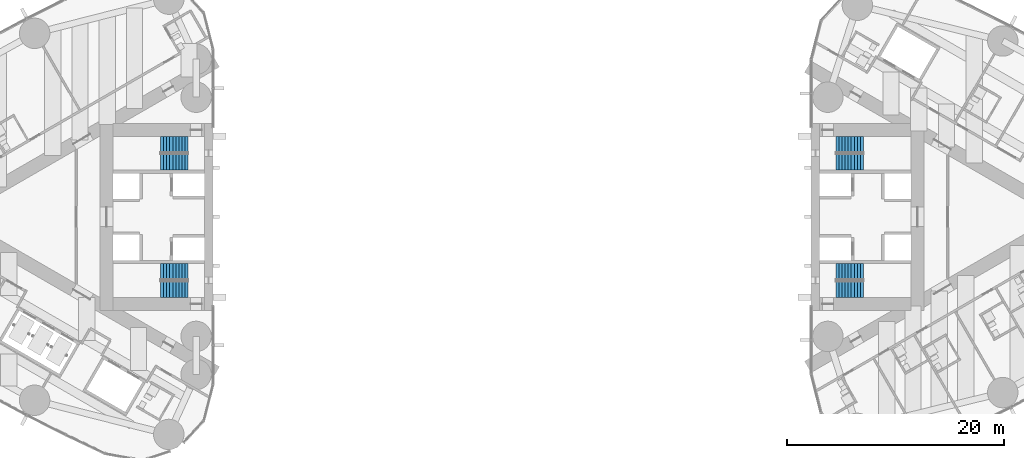
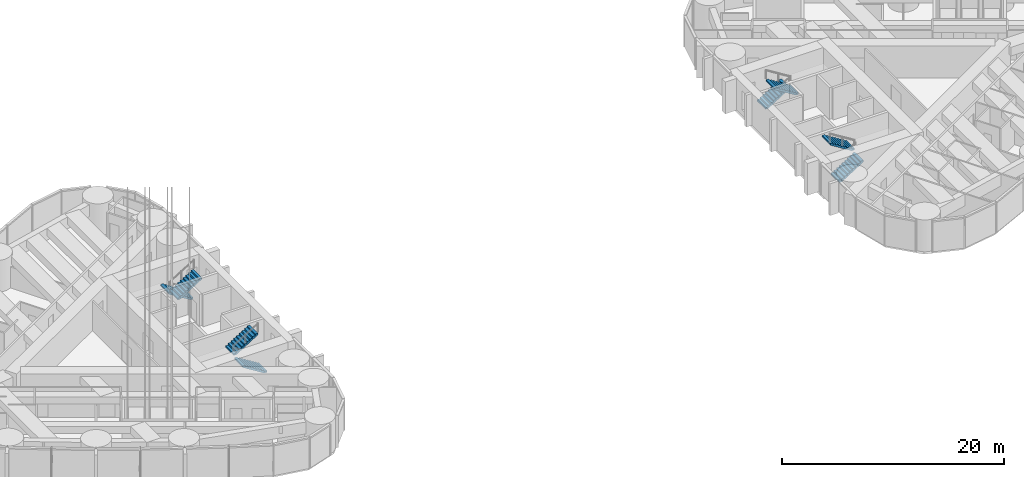
# One storey, part 17 of 21: 8 stair flights, 4 elements without a shape of their own.
"""IFC4 building model written with IfcOpenShell, lengths in metres."""

from ifc_helpers import new_model, si_unit, direction, frame, origin, place, context, subcontext, project, spatial, polyline, outline, extrude, material, type_object, element, aggregate, save


model = new_model("IFC4")

# Units and contexts
model_context = context("Model", 3, precision=1e-05, world=origin(), true_north=direction((0.0, 1.0)))
body_context = subcontext(model_context, "Body", "Model", "MODEL_VIEW")
ifc_project = project(units=[si_unit("LENGTHUNIT", "METRE"), si_unit("AREAUNIT", "SQUARE_METRE"), si_unit("VOLUMEUNIT", "CUBIC_METRE"), si_unit("PLANEANGLEUNIT", "RADIAN"), si_unit("MASSUNIT", "GRAM", prefix="KILO")], contexts=[model_context])

# Site, building, storey
site_placement = place(None, origin())
site = spatial("IfcSite", under=ifc_project, at=site_placement, CompositionType="ELEMENT")
building_placement = place(site_placement, origin())
building = spatial("IfcBuilding", under=site, at=building_placement, Name="Lancet Gate Hotel", CompositionType="ELEMENT")
storey_placement = place(building_placement, frame((0.0, 0.0, 156.300048828125)))
storey = spatial("IfcBuildingStorey", under=building, at=storey_placement, Name="L41", CompositionType="ELEMENT", Elevation=156.300048828125)

# Stair, stair flights
ifc_material_1 = material(Name="Exit stair 20 risers 1500")
stair_type = type_object("IfcStairType", Name="Exit stair 20 risers 1500", PredefinedType="HALF_TURN_STAIR", material=ifc_material_1)
stair_1_placement = place(storey_placement, origin())
stair_1 = element("IfcStair", 1, at=stair_1_placement, inside=storey, type_object=stair_type, Name="T1 stair 1 L41", PredefinedType="HALF_TURN_STAIR")
ifc_material_2 = material(Name="Stair flight 10 risers 175 rise 1500")
stair_flight_type = type_object("IfcStairFlightType", Name="Stair flight 10 risers 175 rise 1500", PredefinedType="STRAIGHT", material=ifc_material_2)
stair_flight_1_placement = place(storey_placement, frame((-29.800048828125, 6.64990234375, 0.0), z_axis=(0.0, 0.0, 1.0), x_axis=(-1.0, 0.0, 0.0)))
stair_flight_1 = element("IfcStairFlight", 2, at=stair_flight_1_placement, type_object=stair_flight_type, Name="ST1 flight 1", NumberOfRisers=10, NumberOfTreads=9, PredefinedType="STRAIGHT", RiserHeight=0.175, TreadLength=0.28, context=body_context, shape_type="SweptSolid", body=[
    extrude(outline(polyline([(0.0, 0.0), (0.0, 0.175048828125), (0.280029296875, 0.175048828125), (0.280029296875, 0.35009765625), (0.56005859375, 0.35009765625), (0.56005859375, 0.52490234375), (0.840087890625, 0.52490234375), (0.840087890625, 0.699951171875), (1.1201171875, 0.699951171875), (1.1201171875, 0.875), (1.39990234375, 0.875), (1.39990234375, 1.050048828125), (1.679931640625, 1.050048828125), (1.679931640625, 1.22509765625), (1.9599609375, 1.22509765625), (1.9599609375, 1.39990234375), (2.239990234375, 1.39990234375), (2.239990234375, 1.574951171875), (2.52001953125, 1.574951171875), (2.52001953125, 1.75), (2.52001953125, 1.398193359375), (0.28271484375, 0.0), (0.0, 0.0)])), frame((0.0, 0.75, 0.0), z_axis=(0.0, -1.0, 0.0), x_axis=(1.0, 0.0, 0.0)), (0.0, 0.0, 1.0), 1.5),
])
stair_flight_2_placement = place(storey_placement, frame((-32.320068359375, 5.050048828125, 1.75), z_axis=(0.0, 0.0, 1.0), x_axis=(1.0, 0.0, 0.0)))
stair_flight_2 = element("IfcStairFlight", 3, at=stair_flight_2_placement, type_object=stair_flight_type, Name="ST1 flight 2", NumberOfRisers=10, NumberOfTreads=9, PredefinedType="STRAIGHT", RiserHeight=0.175, TreadLength=0.28, context=body_context, shape_type="SweptSolid", body=[
    extrude(outline(polyline([(0.0, 0.0), (0.0, 0.175048828125), (0.280029296875, 0.175048828125), (0.280029296875, 0.35009765625), (0.56005859375, 0.35009765625), (0.56005859375, 0.52490234375), (0.840087890625, 0.52490234375), (0.840087890625, 0.699951171875), (1.1201171875, 0.699951171875), (1.1201171875, 0.875), (1.39990234375, 0.875), (1.39990234375, 1.050048828125), (1.679931640625, 1.050048828125), (1.679931640625, 1.22509765625), (1.9599609375, 1.22509765625), (1.9599609375, 1.39990234375), (2.239990234375, 1.39990234375), (2.239990234375, 1.574951171875), (2.52001953125, 1.574951171875), (2.52001953125, 1.75), (2.52001953125, 1.398193359375), (0.28271484375, 0.0), (0.0, 0.0)])), frame((0.0, 0.75, 0.0), z_axis=(0.0, -1.0, 0.0), x_axis=(1.0, 0.0, 0.0)), (0.0, 0.0, 1.0), 1.5),
])
aggregate(stair_1, [stair_flight_1, stair_flight_2])

stair_2_placement = place(storey_placement, origin())
stair_2 = element("IfcStair", 4, at=stair_2_placement, inside=storey, type_object=stair_type, Name="T1 stair 2 L41", PredefinedType="HALF_TURN_STAIR")
stair_flight_3_placement = place(storey_placement, frame((-29.800048828125, -6.64990234375, 0.0), z_axis=(0.0, 0.0, 1.0), x_axis=(-1.0, 0.0, 0.0)))
stair_flight_3 = element("IfcStairFlight", 5, at=stair_flight_3_placement, type_object=stair_flight_type, Name="ST2 flight 1", NumberOfRisers=10, NumberOfTreads=9, PredefinedType="STRAIGHT", RiserHeight=0.175, TreadLength=0.28, context=body_context, shape_type="SweptSolid", body=[
    extrude(outline(polyline([(0.0, 0.0), (0.0, 0.175048828125), (0.280029296875, 0.175048828125), (0.280029296875, 0.35009765625), (0.56005859375, 0.35009765625), (0.56005859375, 0.52490234375), (0.840087890625, 0.52490234375), (0.840087890625, 0.699951171875), (1.1201171875, 0.699951171875), (1.1201171875, 0.875), (1.39990234375, 0.875), (1.39990234375, 1.050048828125), (1.679931640625, 1.050048828125), (1.679931640625, 1.22509765625), (1.9599609375, 1.22509765625), (1.9599609375, 1.39990234375), (2.239990234375, 1.39990234375), (2.239990234375, 1.574951171875), (2.52001953125, 1.574951171875), (2.52001953125, 1.75), (2.52001953125, 1.398193359375), (0.28271484375, 0.0), (0.0, 0.0)])), frame((0.0, 0.75, 0.0), z_axis=(0.0, -1.0, 0.0), x_axis=(1.0, 0.0, 0.0)), (0.0, 0.0, 1.0), 1.5),
])
stair_flight_4_placement = place(storey_placement, frame((-32.320068359375, -5.050048828125, 1.75), z_axis=(0.0, 0.0, 1.0), x_axis=(1.0, 0.0, 0.0)))
stair_flight_4 = element("IfcStairFlight", 6, at=stair_flight_4_placement, type_object=stair_flight_type, Name="ST2 flight 2", NumberOfRisers=10, NumberOfTreads=9, PredefinedType="STRAIGHT", RiserHeight=0.175, TreadLength=0.28, context=body_context, shape_type="SweptSolid", body=[
    extrude(outline(polyline([(0.0, 0.0), (0.0, 0.175048828125), (0.280029296875, 0.175048828125), (0.280029296875, 0.35009765625), (0.56005859375, 0.35009765625), (0.56005859375, 0.52490234375), (0.840087890625, 0.52490234375), (0.840087890625, 0.699951171875), (1.1201171875, 0.699951171875), (1.1201171875, 0.875), (1.39990234375, 0.875), (1.39990234375, 1.050048828125), (1.679931640625, 1.050048828125), (1.679931640625, 1.22509765625), (1.9599609375, 1.22509765625), (1.9599609375, 1.39990234375), (2.239990234375, 1.39990234375), (2.239990234375, 1.574951171875), (2.52001953125, 1.574951171875), (2.52001953125, 1.75), (2.52001953125, 1.398193359375), (0.28271484375, 0.0), (0.0, 0.0)])), frame((0.0, 0.75, 0.0), z_axis=(0.0, -1.0, 0.0), x_axis=(1.0, 0.0, 0.0)), (0.0, 0.0, 1.0), 1.5),
])
aggregate(stair_2, [stair_flight_3, stair_flight_4])

stair_3_placement = place(storey_placement, origin())
stair_3 = element("IfcStair", 7, at=stair_3_placement, inside=storey, type_object=stair_type, Name="T2 stair 1 L41", PredefinedType="HALF_TURN_STAIR")
stair_flight_5_placement = place(storey_placement, frame((29.800048828125, -6.64990234375, 0.0), z_axis=(0.0, 0.0, 1.0), x_axis=(1.0, 0.0, 0.0)))
stair_flight_5 = element("IfcStairFlight", 8, at=stair_flight_5_placement, type_object=stair_flight_type, Name="ST3 flight 1", NumberOfRisers=10, NumberOfTreads=9, PredefinedType="STRAIGHT", RiserHeight=0.175, TreadLength=0.28, context=body_context, shape_type="SweptSolid", body=[
    extrude(outline(polyline([(0.0, 0.0), (0.0, 0.175048828125), (0.280029296875, 0.175048828125), (0.280029296875, 0.35009765625), (0.56005859375, 0.35009765625), (0.56005859375, 0.52490234375), (0.840087890625, 0.52490234375), (0.840087890625, 0.699951171875), (1.1201171875, 0.699951171875), (1.1201171875, 0.875), (1.39990234375, 0.875), (1.39990234375, 1.050048828125), (1.679931640625, 1.050048828125), (1.679931640625, 1.22509765625), (1.9599609375, 1.22509765625), (1.9599609375, 1.39990234375), (2.239990234375, 1.39990234375), (2.239990234375, 1.574951171875), (2.52001953125, 1.574951171875), (2.52001953125, 1.75), (2.52001953125, 1.398193359375), (0.28271484375, 0.0), (0.0, 0.0)])), frame((0.0, 0.75, 0.0), z_axis=(0.0, -1.0, 0.0), x_axis=(1.0, 0.0, 0.0)), (0.0, 0.0, 1.0), 1.5),
])
stair_flight_6_placement = place(storey_placement, frame((32.320068359375, -5.050048828125, 1.75), z_axis=(0.0, 0.0, 1.0), x_axis=(-1.0, 0.0, 0.0)))
stair_flight_6 = element("IfcStairFlight", 9, at=stair_flight_6_placement, type_object=stair_flight_type, Name="ST3 flight 2", NumberOfRisers=10, NumberOfTreads=9, PredefinedType="STRAIGHT", RiserHeight=0.175, TreadLength=0.28, context=body_context, shape_type="SweptSolid", body=[
    extrude(outline(polyline([(0.0, 0.0), (0.0, 0.175048828125), (0.280029296875, 0.175048828125), (0.280029296875, 0.35009765625), (0.56005859375, 0.35009765625), (0.56005859375, 0.52490234375), (0.840087890625, 0.52490234375), (0.840087890625, 0.699951171875), (1.1201171875, 0.699951171875), (1.1201171875, 0.875), (1.39990234375, 0.875), (1.39990234375, 1.050048828125), (1.679931640625, 1.050048828125), (1.679931640625, 1.22509765625), (1.9599609375, 1.22509765625), (1.9599609375, 1.39990234375), (2.239990234375, 1.39990234375), (2.239990234375, 1.574951171875), (2.52001953125, 1.574951171875), (2.52001953125, 1.75), (2.52001953125, 1.398193359375), (0.28271484375, 0.0), (0.0, 0.0)])), frame((0.0, 0.75, 0.0), z_axis=(0.0, -1.0, 0.0), x_axis=(1.0, 0.0, 0.0)), (0.0, 0.0, 1.0), 1.5),
])
aggregate(stair_3, [stair_flight_5, stair_flight_6])

stair_4_placement = place(storey_placement, origin())
stair_4 = element("IfcStair", 10, at=stair_4_placement, inside=storey, type_object=stair_type, Name="T2 stair 2 L41", PredefinedType="HALF_TURN_STAIR")
stair_flight_7_placement = place(storey_placement, frame((29.800048828125, 6.64990234375, 0.0), z_axis=(0.0, 0.0, 1.0), x_axis=(1.0, 0.0, 0.0)))
stair_flight_7 = element("IfcStairFlight", 11, at=stair_flight_7_placement, type_object=stair_flight_type, Name="ST4 flight 1", NumberOfRisers=10, NumberOfTreads=9, PredefinedType="STRAIGHT", RiserHeight=0.175, TreadLength=0.28, context=body_context, shape_type="SweptSolid", body=[
    extrude(outline(polyline([(0.0, 0.0), (0.0, 0.175048828125), (0.280029296875, 0.175048828125), (0.280029296875, 0.35009765625), (0.56005859375, 0.35009765625), (0.56005859375, 0.52490234375), (0.840087890625, 0.52490234375), (0.840087890625, 0.699951171875), (1.1201171875, 0.699951171875), (1.1201171875, 0.875), (1.39990234375, 0.875), (1.39990234375, 1.050048828125), (1.679931640625, 1.050048828125), (1.679931640625, 1.22509765625), (1.9599609375, 1.22509765625), (1.9599609375, 1.39990234375), (2.239990234375, 1.39990234375), (2.239990234375, 1.574951171875), (2.52001953125, 1.574951171875), (2.52001953125, 1.75), (2.52001953125, 1.398193359375), (0.28271484375, 0.0), (0.0, 0.0)])), frame((0.0, 0.75, 0.0), z_axis=(0.0, -1.0, 0.0), x_axis=(1.0, 0.0, 0.0)), (0.0, 0.0, 1.0), 1.5),
])
stair_flight_8_placement = place(storey_placement, frame((32.320068359375, 5.050048828125, 1.75), z_axis=(0.0, 0.0, 1.0), x_axis=(-1.0, 0.0, 0.0)))
stair_flight_8 = element("IfcStairFlight", 12, at=stair_flight_8_placement, type_object=stair_flight_type, Name="ST4 flight 2", NumberOfRisers=10, NumberOfTreads=9, PredefinedType="STRAIGHT", RiserHeight=0.175, TreadLength=0.28, context=body_context, shape_type="SweptSolid", body=[
    extrude(outline(polyline([(0.0, 0.0), (0.0, 0.175048828125), (0.280029296875, 0.175048828125), (0.280029296875, 0.35009765625), (0.56005859375, 0.35009765625), (0.56005859375, 0.52490234375), (0.840087890625, 0.52490234375), (0.840087890625, 0.699951171875), (1.1201171875, 0.699951171875), (1.1201171875, 0.875), (1.39990234375, 0.875), (1.39990234375, 1.050048828125), (1.679931640625, 1.050048828125), (1.679931640625, 1.22509765625), (1.9599609375, 1.22509765625), (1.9599609375, 1.39990234375), (2.239990234375, 1.39990234375), (2.239990234375, 1.574951171875), (2.52001953125, 1.574951171875), (2.52001953125, 1.75), (2.52001953125, 1.398193359375), (0.28271484375, 0.0), (0.0, 0.0)])), frame((0.0, 0.75, 0.0), z_axis=(0.0, -1.0, 0.0), x_axis=(1.0, 0.0, 0.0)), (0.0, 0.0, 1.0), 1.5),
])
aggregate(stair_4, [stair_flight_7, stair_flight_8])

save(model, "model.ifc")
